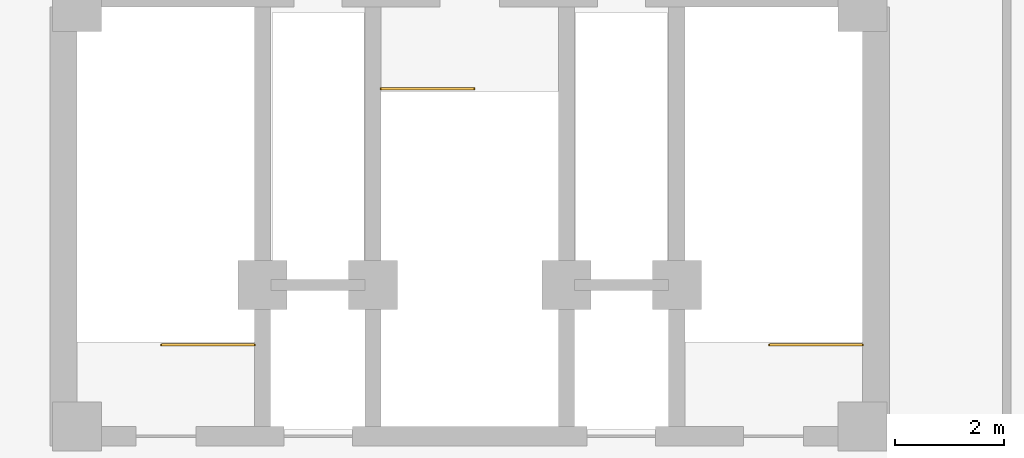
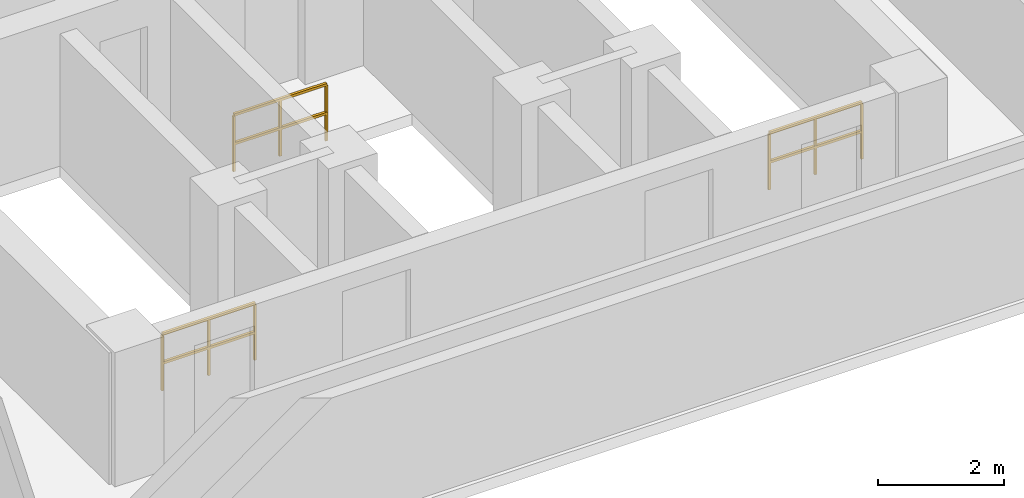
# One storey, part 4 of 4: 3 railings.
"""IFC4 building model written with IfcOpenShell, lengths in metres."""

from ifc_helpers import new_model, si_unit, direction, frame, origin, origin_2d, place, context, subcontext, project, spatial, rectangle, extrude, material, type_object, element, save


model = new_model("IFC4")

# Units and contexts
model_context = context("Model", 3, precision=1e-05, world=origin(), true_north=direction((0.0, 1.0)))
body_context = subcontext(model_context, "Body", "Model", "MODEL_VIEW")
ifc_project = project(units=[si_unit("LENGTHUNIT", "METRE"), si_unit("AREAUNIT", "SQUARE_METRE"), si_unit("VOLUMEUNIT", "CUBIC_METRE"), si_unit("PLANEANGLEUNIT", "RADIAN"), si_unit("MASSUNIT", "GRAM", prefix="KILO")], contexts=[model_context])

# Site, building, storey
site_placement = place(None, origin())
site = spatial("IfcSite", under=ifc_project, at=site_placement, CompositionType="ELEMENT")
building_placement = place(site_placement, origin())
building = spatial("IfcBuilding", under=site, at=building_placement, Name="Apsidion Concourse Tower", CompositionType="ELEMENT")
storey_placement = place(building_placement, frame((0.0, 0.0, 346.5)))
storey = spatial("IfcBuildingStorey", under=building, at=storey_placement, Name="L82", CompositionType="ELEMENT", Elevation=346.5)

# Railings
ifc_material = material(Name="Brushed stainless steel 316", Category="steel")
railing_type = type_object("IfcRailingType", Name="RL-GUARD-1100", PredefinedType="GUARDRAIL", material=ifc_material)
for number, where, name in (
    (1, (-3.949951171875, 2.949951171875, 0.0), "L82 ST1 top well guard 1"),
    (2, (7.199951171875, 2.949951171875, 0.0), "L82 ST2 top well guard 1"),
):
    element("IfcRailing", number, at=place(storey_placement, frame(where)), inside=storey, type_object=railing_type, Name=name, PredefinedType="GUARDRAIL", context=body_context, shape_type="SweptSolid", body=[
        extrude(rectangle(XDim=0.048095703125, YDim=0.048095703125, at=origin_2d()), frame((0.0, 0.0, 1.09619140625), z_axis=(-1.0, 0.0, 0.0), x_axis=(0.0, -1.0, 0.0)), (0.0, 0.0, 1.0), 1.699951171875),
        extrude(rectangle(XDim=0.048095703125, YDim=0.048095703125, at=origin_2d()), frame((0.0, 0.0, 0.5361328125), z_axis=(-1.0, 0.0, 0.0), x_axis=(0.0, -1.0, 0.0)), (0.0, 0.0, 1.0), 1.699951171875),
        extrude(rectangle(XDim=0.0419921875, YDim=0.0419921875, at=origin_2d()), origin(), (0.0, 0.0, 1.0), 1.072021484375),
        extrude(rectangle(XDim=0.0419921875, YDim=0.0419921875, at=origin_2d()), frame((-0.85009765625, 0.0, 0.0)), (0.0, 0.0, 1.0), 1.072021484375),
        extrude(rectangle(XDim=0.0419921875, YDim=0.0419921875, at=origin_2d()), frame((-1.699951171875, 0.0, 0.0)), (0.0, 0.0, 1.0), 1.072021484375),
    ])
railing_placement = place(storey_placement, frame((-1.625, 7.64990234375, 0.0)))
element("IfcRailing", 3, at=railing_placement, inside=storey, type_object=railing_type, Name="L82 ST3 top well guard 1", PredefinedType="GUARDRAIL", context=body_context, shape_type="SweptSolid", body=[
    extrude(rectangle(XDim=0.048095703125, YDim=0.048095703125, at=origin_2d()), frame((0.0, 0.0, 1.09619140625), z_axis=(1.0, 0.0, 0.0), x_axis=(0.0, 1.0, 0.0)), (0.0, 0.0, 1.0), 1.699951171875),
    extrude(rectangle(XDim=0.048095703125, YDim=0.048095703125, at=origin_2d()), frame((0.0, 0.0, 0.5361328125), z_axis=(1.0, 0.0, 0.0), x_axis=(0.0, 1.0, 0.0)), (0.0, 0.0, 1.0), 1.699951171875),
    extrude(rectangle(XDim=0.0419921875, YDim=0.0419921875, at=origin_2d()), origin(), (0.0, 0.0, 1.0), 1.072021484375),
    extrude(rectangle(XDim=0.0419921875, YDim=0.0419921875, at=origin_2d()), frame((0.85009765625, 0.0, 0.0)), (0.0, 0.0, 1.0), 1.072021484375),
    extrude(rectangle(XDim=0.0419921875, YDim=0.0419921875, at=origin_2d()), frame((1.699951171875, 0.0, 0.0)), (0.0, 0.0, 1.0), 1.072021484375),
])

save(model, "model.ifc")
